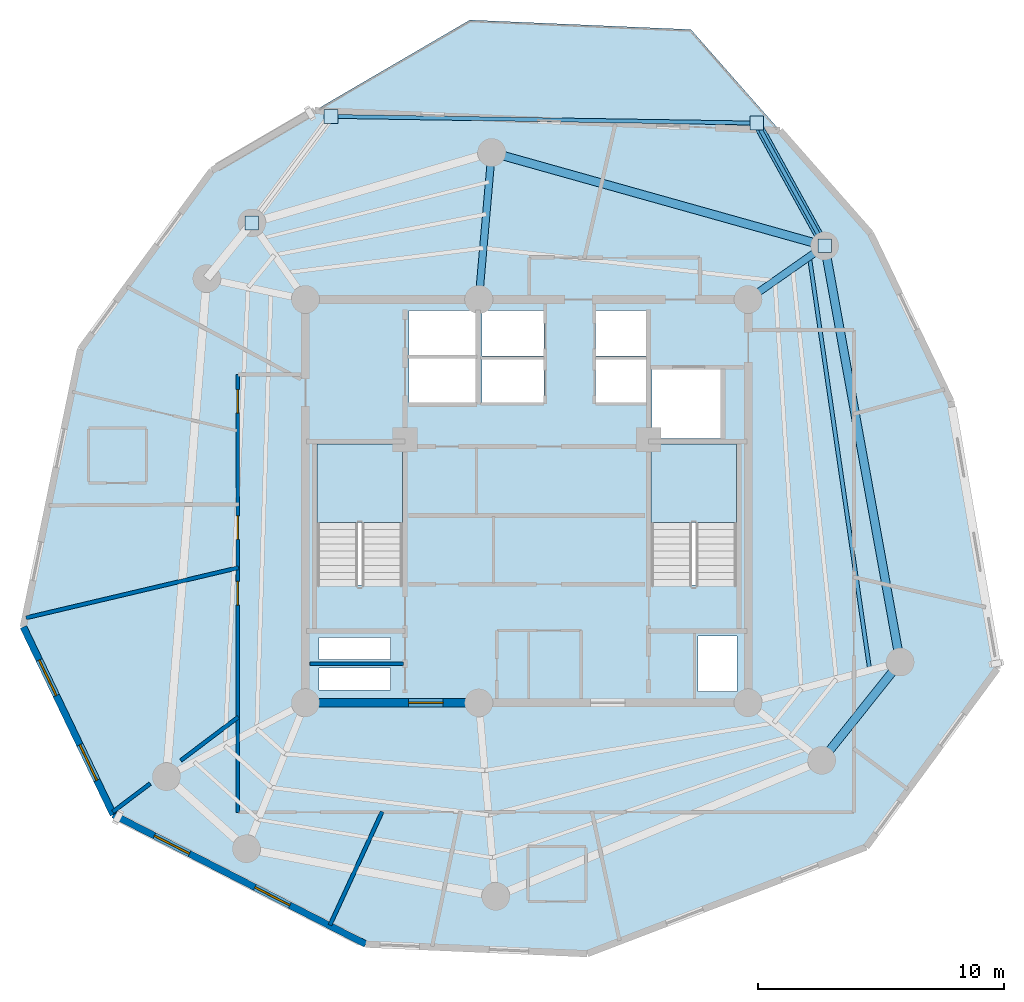
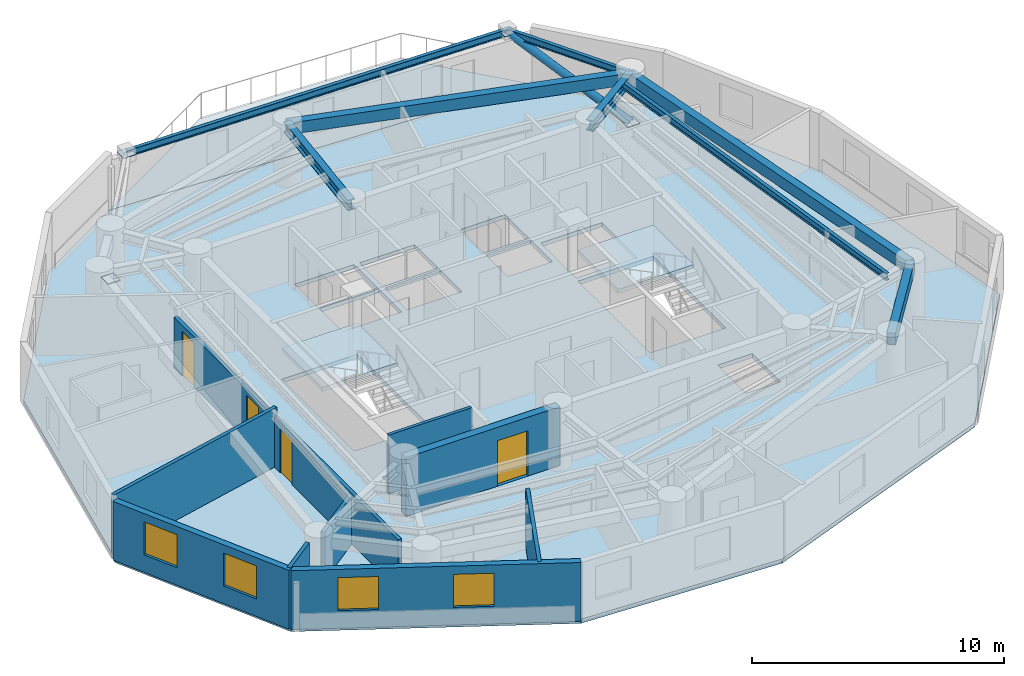
# One storey, part 2 of 8: 9 walls, 8 beams, 4 doors, 4 plates, 4 slabs, 4 windows, 1 member, 8 openings, 2 elements without a shape of their own.
"""IFC4 building model written with IfcOpenShell, lengths in metres."""

from ifc_helpers import new_model, si_unit, direction, frame, frame_2d, origin, origin_with_axes, origin_2d, place, context, subcontext, project, spatial, polyline, rectangle, hollow_circle, i_section, outline, extrude, source, transform, mapped, material, layer, layer_set, material_profile, profile_set, type_object, element, fill, aggregate, save


model = new_model("IFC4")

# Units and contexts
model_context = context("Model", 3, precision=1e-05, world=origin(), true_north=direction((0.0, 1.0)))
body_context = subcontext(model_context, "Body", "Model", "MODEL_VIEW")
ifc_project = project(units=[si_unit("LENGTHUNIT", "METRE"), si_unit("AREAUNIT", "SQUARE_METRE"), si_unit("VOLUMEUNIT", "CUBIC_METRE"), si_unit("PLANEANGLEUNIT", "RADIAN"), si_unit("MASSUNIT", "GRAM", prefix="KILO")], contexts=[model_context])

# Site, building, storey
site_placement = place(None, origin())
site = spatial("IfcSite", under=ifc_project, at=site_placement, CompositionType="ELEMENT")
building_placement = place(site_placement, origin())
building = spatial("IfcBuilding", under=site, at=building_placement, Name="Karkom Vertical University and Central Library", CompositionType="ELEMENT")
storey_placement = place(building_placement, frame((0.0, 0.0, 250.449951171875)))
storey = spatial("IfcBuildingStorey", under=building, at=storey_placement, Name="L74", CompositionType="ELEMENT", Elevation=250.449951171875)

# Beams
ifc_material_1 = material(Name="Precast concrete C45/55", Category="concrete")
ifc_material_profile_1 = material_profile(ifc_material_1, rectangle(XDim=0.35009765625, YDim=0.550048828125, at=origin_2d()), Name="SPB-350x550")
ifc_profile_set_1 = profile_set([ifc_material_profile_1], Name="Precast concrete C45/55")
beam_type_1 = type_object("IfcBeamType", Name="STR-BM-SP-2", PredefinedType="SPANDREL", material=ifc_profile_set_1)
shared_shape_1 = source(origin_with_axes(), body_context, "Body", "SweptSolid", [
    extrude(rectangle(XDim=0.35009765625, YDim=0.550048828125, at=origin_2d()), origin(), (0.0, 0.0, 1.0), 17.19970703125),
])
beam_1_placement = place(storey_placement, frame((43.681884765625, 19.9560546875, 2.574951171875), z_axis=(-0.178423249727, 0.983953832228, 0.0), x_axis=(-0.983953832228, -0.178423249727, 0.0)))
element("IfcBeam", 1, at=beam_1_placement, inside=storey, type_object=beam_type_1, Name="Level 74 Perimeter Spandrel Beam 01", PredefinedType="SPANDREL", context=body_context, shape_type="MappedRepresentation", body=[
    mapped(shared_shape_1, transform((0.0, 0.0, 0.0), scale=1.0)),
])
shared_shape_2 = source(origin_with_axes(), body_context, "Body", "SweptSolid", [
    extrude(rectangle(XDim=0.35009765625, YDim=0.550048828125, at=origin_2d()), origin(), (0.0, 0.0, 1.0), 14.0625),
])
beam_2_placement = place(storey_placement, frame((40.613037109375, 36.8798828125, 2.574951171875), z_axis=(-0.962854853531, 0.270019501207, 0.0), x_axis=(-0.270019501207, -0.962854853531, 0.0)))
element("IfcBeam", 2, at=beam_2_placement, inside=storey, type_object=beam_type_1, Name="Level 74 Perimeter Spandrel Beam 02", PredefinedType="SPANDREL", context=body_context, shape_type="MappedRepresentation", body=[
    mapped(shared_shape_2, transform((0.0, 0.0, 0.0), scale=1.0)),
])
shared_shape_3 = source(origin_with_axes(), body_context, "Body", "SweptSolid", [
    extrude(rectangle(XDim=0.35009765625, YDim=0.550048828125, at=origin_2d()), origin(), (0.0, 0.0, 1.0), 5.112060546875),
])
beam_3_placement = place(storey_placement, frame((40.493896484375, 15.9599609375, 2.574951171875), z_axis=(0.623634459503, 0.78171609995, 0.0), x_axis=(-0.78171609995, 0.623634459503, 0.0)))
element("IfcBeam", 3, at=beam_3_placement, inside=storey, type_object=beam_type_1, Name="Level 74 Perimeter Spandrel Beam 09", PredefinedType="SPANDREL", context=body_context, shape_type="MappedRepresentation", body=[
    mapped(shared_shape_3, transform((0.0, 0.0, 0.0), scale=1.0)),
])
ifc_material_2 = material(Name="Steel S355", Category="steel")
ifc_material_profile_2 = material_profile(ifc_material_2, i_section(OverallWidth=0.159912109375, OverallDepth=0.330078125, WebThickness=0.007568359375, FlangeThickness=0.011474609375, FilletRadius=0.01806640625, at=origin_2d()), Name="IPE 330")
ifc_profile_set_2 = profile_set([ifc_material_profile_2], Name="Steel S355")
beam_type_2 = type_object("IfcBeamType", Name="STR-BM-SB-IPE330", PredefinedType="BEAM", material=ifc_profile_set_2)
shared_shape_4 = source(origin_with_axes(), body_context, "Body", "SweptSolid", [
    extrude(i_section(OverallWidth=0.159912109375, OverallDepth=0.330078125, WebThickness=0.007568359375, FlangeThickness=0.011474609375, FilletRadius=0.01806640625, at=origin_2d()), origin(), (0.0, 0.0, 1.0), 16.99755859375),
])
beam_4_placement = place(storey_placement, frame((42.445556640625, 19.624755859375, 2.68505859375), z_axis=(-0.144436985275, 0.98951400055, 0.0), x_axis=(-0.98951400055, -0.144436985275, 0.0)))
element("IfcBeam", 4, at=beam_4_placement, inside=storey, type_object=beam_type_2, Name="Level 74 Secondary Composite Floor Beam 3.01", PredefinedType="BEAM", context=body_context, shape_type="MappedRepresentation", body=[
    mapped(shared_shape_4, transform((0.0, 0.0, 0.0), scale=1.0)),
])
ifc_material_profile_3 = material_profile(ifc_material_2, i_section(OverallWidth=0.300048828125, OverallDepth=0.5, WebThickness=0.014404296875, FlangeThickness=0.028076171875, FilletRadius=0.027099609375, at=origin_2d()), Name="HE 500 B")
ifc_profile_set_3 = profile_set([ifc_material_profile_3], Name="Steel S355")
beam_type_3 = type_object("IfcBeamType", Name="STR-BM-SB-HE500", PredefinedType="USERDEFINED", material=ifc_profile_set_3)
shared_shape_5 = source(origin_with_axes(), body_context, "Body", "SweptSolid", [
    extrude(i_section(OverallWidth=0.300048828125, OverallDepth=0.5, WebThickness=0.014404296875, FlangeThickness=0.028076171875, FilletRadius=0.027099609375, at=origin_2d()), origin(), (0.0, 0.0, 1.0), 3.80029296875),
])
beam_5_placement = place(storey_placement, frame((37.5, 34.699951171875, 2.60009765625), z_axis=(0.819132313625, 0.573604613627, 0.0), x_axis=(-0.573604613627, 0.819132313625, 0.0)))
element("IfcBeam", 5, at=beam_5_placement, inside=storey, type_object=beam_type_3, Name="Level 74 Radial Frame Girder 02", ObjectType="GIRDER", PredefinedType="USERDEFINED", context=body_context, shape_type="MappedRepresentation", body=[
    mapped(shared_shape_5, transform((0.0, 0.0, 0.0), scale=1.0)),
])
shared_shape_6 = source(origin_with_axes(), body_context, "Body", "SweptSolid", [
    extrude(i_section(OverallWidth=0.300048828125, OverallDepth=0.5, WebThickness=0.014404296875, FlangeThickness=0.028076171875, FilletRadius=0.027099609375, at=origin_2d()), origin(), (0.0, 0.0, 1.0), 6.0),
])
beam_6_placement = place(storey_placement, frame((26.550048828125, 34.699951171875, 2.60009765625), z_axis=(0.087159883478, 0.996194335816, 0.0), x_axis=(-0.996194335816, 0.087159883478, 0.0)))
element("IfcBeam", 6, at=beam_6_placement, inside=storey, type_object=beam_type_3, Name="Level 74 Radial Frame Girder 03", ObjectType="GIRDER", PredefinedType="USERDEFINED", context=body_context, shape_type="MappedRepresentation", body=[
    mapped(shared_shape_6, transform((0.0, 0.0, 0.0), scale=1.0)),
])
shared_shape_7 = source(origin_with_axes(), body_context, "Body", "SweptSolid", [
    extrude(i_section(OverallWidth=0.159912109375, OverallDepth=0.330078125, WebThickness=0.007568359375, FlangeThickness=0.011474609375, FilletRadius=0.01806640625, at=origin_2d()), origin(), (0.0, 0.0, 1.0), 5.7021484375),
])
beam_7_placement = place(storey_placement, frame((40.613037109375, 36.8798828125, 2.68505859375), z_axis=(-0.483722361953, 0.875221501419, 0.0), x_axis=(-0.875221501419, -0.483722361953, 0.0)))
element("IfcBeam", 7, at=beam_7_placement, inside=storey, type_object=beam_type_2, Name="Level 74 Sky Garden Outrigger Support Beam 1", PredefinedType="BEAM", context=body_context, shape_type="MappedRepresentation", body=[
    mapped(shared_shape_7, transform((0.0, 0.0, 0.0), scale=1.0)),
])

# Member
ifc_material_profile_4 = material_profile(ifc_material_2, hollow_circle(Radius=0.177734375, WallThickness=0.01611328125, at=origin_2d()), Name="CHS 355.6x16")
ifc_profile_set_4 = profile_set([ifc_material_profile_4], Name="Steel S355")
member_type = type_object("IfcMemberType", Name="STR-MEM-BR-3", PredefinedType="BRACE", material=ifc_profile_set_4)
shared_shape_8 = source(origin_with_axes(), body_context, "Body", "SweptSolid", [
    extrude(hollow_circle(Radius=0.177734375, WallThickness=0.01611328125, at=origin_2d()), origin(), (0.0, 0.0, 1.0), 6.161865234375),
])
member_placement = place(storey_placement, frame((40.613037109375, 36.8798828125, 0.35009765625), z_axis=(-0.447646479314, 0.809947719077, 0.378942372823), x_axis=(-0.875221501419, -0.483722361953, 0.0)))
element("IfcMember", 8, at=member_placement, inside=storey, type_object=member_type, Name="Level 74 Sky Garden Knee Strut Brace 1", PredefinedType="BRACE", context=body_context, shape_type="MappedRepresentation", body=[
    mapped(shared_shape_8, transform((0.0, 0.0, 0.0), scale=1.0)),
])

# Beam
shared_shape_9 = source(origin_with_axes(), body_context, "Body", "SweptSolid", [
    extrude(i_section(OverallWidth=0.159912109375, OverallDepth=0.330078125, WebThickness=0.007568359375, FlangeThickness=0.011474609375, FilletRadius=0.01806640625, at=origin_2d()), origin(), (0.0, 0.0, 1.0), 17.31494140625),
])
beam_8_placement = place(storey_placement, frame((37.854736328125, 41.87060546875, 2.68505859375), z_axis=(-0.999875298094, 0.015792031558, 0.0), x_axis=(-0.015792031558, -0.999875298094, 0.0)))
element("IfcBeam", 9, at=beam_8_placement, inside=storey, type_object=beam_type_2, Name="Level 74 Sky Garden Perimeter Edge Beam", PredefinedType="BEAM", context=body_context, shape_type="MappedRepresentation", body=[
    mapped(shared_shape_9, transform((0.0, 0.0, 0.0), scale=1.0)),
])

# Stair, slab
ifc_material_3 = material(Name="Concrete C45/55", Category="concrete")
stair_type = type_object("IfcStairType", Name="INT-STR-ST-MAIN", PredefinedType="HALF_TURN_STAIR", material=ifc_material_3)
stair_1_placement = place(storey_placement, origin())
stair_1 = element("IfcStair", 10, at=stair_1_placement, inside=storey, type_object=stair_type, Name="Level 74 Tower Protected Exit Stair ST-1", PredefinedType="HALF_TURN_STAIR")
ifc_layer_1 = layer(ifc_material_3, 0.199951171875)
ifc_layer_set_1 = layer_set([ifc_layer_1], Name="Concrete C45/55")
slab_type_1 = type_object("IfcSlabType", Name="INT-SLB-LANDING", PredefinedType="LANDING", material=ifc_layer_set_1)
slab_1_placement = place(storey_placement, frame((0.0, 0.0, 1.324951171875)))
slab_1 = element("IfcSlab", 11, at=slab_1_placement, type_object=slab_type_1, Name="ST-1 landing 1", PredefinedType="LANDING", context=body_context, shape_type="SweptSolid", body=[
    extrude(outline(polyline([(23.43994140625, 25.6298828125), (23.43994140625, 28.820068359375), (19.97998046875, 28.820068359375), (19.97998046875, 25.6298828125), (23.43994140625, 25.6298828125)])), origin(), (0.0, 0.0, 1.0), 0.2001953125),
])
aggregate(stair_1, [slab_1])

stair_2_placement = place(storey_placement, origin())
stair_2 = element("IfcStair", 12, at=stair_2_placement, inside=storey, type_object=stair_type, Name="Level 74 Tower Protected Exit Stair ST-2", PredefinedType="HALF_TURN_STAIR")
slab_2_placement = place(storey_placement, frame((0.0, 0.0, 1.324951171875)))
slab_2 = element("IfcSlab", 13, at=slab_2_placement, type_object=slab_type_1, Name="ST-2 landing 1", PredefinedType="LANDING", context=body_context, shape_type="SweptSolid", body=[
    extrude(outline(polyline([(37.02001953125, 25.6298828125), (37.02001953125, 28.820068359375), (33.56005859375, 28.820068359375), (33.56005859375, 25.6298828125), (37.02001953125, 25.6298828125)])), origin(), (0.0, 0.0, 1.0), 0.2001953125),
])
aggregate(stair_2, [slab_2])

# Slabs
ifc_material_4 = material(Name="Concrete C40/50", Category="concrete")
ifc_layer_2 = layer(ifc_material_4, 0.199951171875)
ifc_layer_set_2 = layer_set([ifc_layer_2], Name="Concrete C40/50")
slab_type_2 = type_object("IfcSlabType", Name="STR-SLB-FLR-200", PredefinedType="FLOOR", material=ifc_layer_set_2)
slab_3_placement = place(storey_placement, frame((0.0, 0.0, -0.199951171875)))
element("IfcSlab", 14, at=slab_3_placement, inside=storey, type_object=slab_type_2, Name="Level 74 Tower Structural Floor Slab", PredefinedType="FLOOR", context=body_context, shape_type="SweptSolid", body=[
    extrude(outline(polyline([(11.68896484375, 13.75439453125), (21.9501953125, 8.4892578125), (30.95458984375, 8.102294921875), (42.2958984375, 12.438720703125), (47.625, 19.68310546875), (45.739013671875, 30.5712890625), (42.474853515625, 37.384033203125), (38.79052734375, 41.567138671875), (19.8779296875, 42.3798828125), (15.699951171875, 39.941162109375), (10.359375, 32.680908203125), (8.03271484375, 21.385009765625), (11.68896484375, 13.75439453125)]), holes=[polyline([(19.97998046875, 23.0849609375), (23.43994140625, 23.0849609375), (23.43994140625, 28.820068359375), (19.97998046875, 28.820068359375), (19.97998046875, 23.0849609375)]), polyline([(33.56005859375, 23.0849609375), (37.02001953125, 23.0849609375), (37.02001953125, 28.820068359375), (33.56005859375, 28.820068359375), (33.56005859375, 23.0849609375)]), polyline([(26.679931640625, 30.5), (29.199951171875, 30.5), (29.199951171875, 32.25), (26.679931640625, 32.25), (26.679931640625, 30.5)]), polyline([(26.679931640625, 32.39990234375), (29.199951171875, 32.39990234375), (29.199951171875, 34.25), (26.679931640625, 34.25), (26.679931640625, 32.39990234375)]), polyline([(31.300048828125, 30.5), (33.35009765625, 30.5), (33.35009765625, 32.25), (31.300048828125, 32.25), (31.300048828125, 30.5)]), polyline([(31.300048828125, 32.39990234375), (33.35009765625, 32.39990234375), (33.35009765625, 34.25), (31.300048828125, 34.25), (31.300048828125, 32.39990234375)]), polyline([(23.719970703125, 30.47998046875), (26.429931640625, 30.47998046875), (26.429931640625, 32.320068359375), (23.719970703125, 32.320068359375), (23.719970703125, 30.47998046875)]), polyline([(23.719970703125, 32.419921875), (26.429931640625, 32.419921875), (26.429931640625, 34.260009765625), (23.719970703125, 34.260009765625), (23.719970703125, 32.419921875)]), polyline([(33.60009765625, 29.050048828125), (36.39990234375, 29.050048828125), (36.39990234375, 31.85009765625), (33.60009765625, 31.85009765625), (33.60009765625, 29.050048828125)]), polyline([(20.050048828125, 18.820068359375), (22.949951171875, 18.820068359375), (22.949951171875, 19.719970703125), (20.050048828125, 19.719970703125), (20.050048828125, 18.820068359375)]), polyline([(20.050048828125, 20.06005859375), (22.949951171875, 20.06005859375), (22.949951171875, 20.9599609375), (20.050048828125, 20.9599609375), (20.050048828125, 20.06005859375)]), polyline([(35.4599609375, 18.760009765625), (37.0400390625, 18.760009765625), (37.0400390625, 21.010009765625), (35.4599609375, 21.010009765625), (35.4599609375, 18.760009765625)])]), origin(), (0.0, 0.0, 1.0), 0.199951171875),
])
ifc_layer_3 = layer(ifc_material_3, 0.199951171875)
ifc_layer_set_3 = layer_set([ifc_layer_3], Name="Concrete C45/55")
slab_type_3 = type_object("IfcSlabType", Name="STR-SLB-PLN-260", PredefinedType="USERDEFINED", material=ifc_layer_set_3)
slab_4_placement = place(storey_placement, frame((0.0, 0.0, -0.199951171875)))
element("IfcSlab", 15, at=slab_4_placement, inside=storey, type_object=slab_type_3, Name="Level 74 Spiral Sky Garden Planter Terrace", ObjectType="PLANTER", PredefinedType="USERDEFINED", context=body_context, shape_type="SweptSolid", body=[
    extrude(outline(polyline([(38.79052734375, 41.567138671875), (35.17138671875, 45.67626953125), (26.18603515625, 46.0625), (19.8779296875, 42.3798828125), (38.79052734375, 41.567138671875)])), origin(), (0.0, 0.0, 1.0), 0.199951171875),
])

# Plates
ifc_layer_4 = layer(ifc_material_2, 0.028076171875)
ifc_layer_set_4 = layer_set([ifc_layer_4], Name="Steel S355")
plate_type = type_object("IfcPlateType", Name="STR-PLT-GP-2", PredefinedType="USERDEFINED", material=ifc_layer_set_4)
shared_shape_10 = source(origin_with_axes(), body_context, "Body", "SweptSolid", [
    extrude(rectangle(XDim=0.56005859375, YDim=0.56005859375, at=origin_2d()), origin(), (0.0, 0.0, 1.0), 0.028076171875),
])
for number, where, z_axis, x_axis, name in (
    (16, (40.613037109375, 36.8798828125, 0.3359375), (0.0, 0.0, 1.0), (1.0, 0.0, 0.0), "Level 74 Node Gusset Cap Plate L74-SKG-KNEE-1 A"),
    (17, (37.854736328125, 41.87060546875, 2.6708984375), (0.0, 0.0, 1.0), (1.0, 0.0, 0.0), "Level 74 Node Gusset Cap Plate L74-SKG-KNEE-1 B"),
    (18, (17.320068359375, 37.81298828125, 0.3359375), (0.0, 0.0, 1.0), (1.0, 0.0, 0.0), "Level 74 Node Gusset Cap Plate L74-SKG-KNEE-2 A"),
    (19, (20.5419921875, 42.14404296875, 2.6708984375), (0.0, 0.0, 1.0), (1.0, 0.0, 0.0), "Level 74 Node Gusset Cap Plate L74-SKG-KNEE-2 B"),
):
    element("IfcPlate", number, at=place(storey_placement, frame(where, z_axis=z_axis, x_axis=x_axis)), inside=storey, type_object=plate_type, Name=name, ObjectType="GUSSET PLATE", PredefinedType="USERDEFINED", context=body_context, shape_type="MappedRepresentation", body=[
        mapped(shared_shape_10, transform((0.0, 0.0, 0.0), scale=1.0)),
    ])

# Wall, openings, windows
ifc_material_5 = material(Name="Brick-faced precast concrete C45/55", Category="masonry")
ifc_layer_5 = layer(ifc_material_5, 0.280029296875)
ifc_layer_set_5 = layer_set([ifc_layer_5], Name="Brick-faced precast concrete C45/55")
wall_type_1 = type_object("IfcWallType", Name="ENV-WL-BRK-280", PredefinedType="SOLIDWALL", material=ifc_layer_set_5)
wall_1_placement = place(storey_placement, frame((11.68896484375, 13.75439453125, 0.0), z_axis=(0.0, 0.0, 1.0), x_axis=(0.889712974327, -0.456520342716, 0.0)))
wall_1 = element("IfcWall", 20, at=wall_1_placement, inside=storey, type_object=wall_type_1, Name="Level 74 Brick-Faced Precast Facade Wall 01", PredefinedType="SOLIDWALL", context=body_context, shape_type="SweptSolid", body=[
    extrude(rectangle(XDim=11.533203125, YDim=0.280029296875, at=frame_2d((5.7666015625, 0.0))), origin(), (0.0, 0.0, 1.0), 2.85009765625),
])
opening_1_placement = place(wall_1_placement, frame((1.876708984375, 0.0, 0.85009765625)))
opening_1 = element("IfcOpeningElement", 21, at=opening_1_placement, cuts=wall_1, Name="Opening WN-10", PredefinedType="OPENING", context=body_context, shape_type="SweptSolid", body=[
    extrude(rectangle(XDim=1.60009765625, YDim=1.60009765625, at=frame_2d((0.800048828125, 0.800048828125))), frame((0.0, 0.14990234375, 0.0), z_axis=(0.0, -1.0, 0.0), x_axis=(1.0, 0.0, 0.0)), (0.0, 0.0, 1.0), 0.300048828125),
])
opening_2_placement = place(wall_1_placement, frame((6.4697265625, 0.0, 0.85009765625)))
opening_2 = element("IfcOpeningElement", 22, at=opening_2_placement, cuts=wall_1, Name="Opening WN-10", PredefinedType="OPENING", context=body_context, shape_type="SweptSolid", body=[
    extrude(rectangle(XDim=1.60009765625, YDim=1.60009765625, at=frame_2d((0.800048828125, 0.800048828125))), frame((0.0, 0.14990234375, 0.0), z_axis=(0.0, -1.0, 0.0), x_axis=(1.0, 0.0, 0.0)), (0.0, 0.0, 1.0), 0.300048828125),
])
ifc_material_6 = material(Name="Aluminium thermal-break frame with solar-control IGU", Category="aluminium")
window_type = type_object("IfcWindowType", Name="ENV-WIN-WN-10", PartitioningType="SINGLE_PANEL", PredefinedType="WINDOW", material=ifc_material_6)
shared_shape_11 = source(origin_with_axes(), body_context, "Body", "SweptSolid", [
    extrude(rectangle(XDim=1.60009765625, YDim=1.60009765625, at=frame_2d((0.800048828125, 0.800048828125))), frame((0.0, 0.030029296875, 0.0), z_axis=(0.0, -1.0, 0.0), x_axis=(1.0, 0.0, 0.0)), (0.0, 0.0, 1.0), 0.06005859375),
])
window_1_placement = place(opening_1_placement, origin())
window_1 = element("IfcWindow", 23, at=window_1_placement, inside=storey, type_object=window_type, Name="Level 74 Punched Window 1.1", OverallHeight=1.60009765625, OverallWidth=1.60009765625, PartitioningType="SINGLE_PANEL", PredefinedType="WINDOW", context=body_context, shape_type="MappedRepresentation", body=[
    mapped(shared_shape_11, transform((0.0, 0.0, 0.0), scale=1.0)),
])
fill(opening_1, window_1)
window_2_placement = place(opening_2_placement, origin())
window_2 = element("IfcWindow", 24, at=window_2_placement, inside=storey, type_object=window_type, Name="Level 74 Punched Window 1.2", OverallHeight=1.60009765625, OverallWidth=1.60009765625, PartitioningType="SINGLE_PANEL", PredefinedType="WINDOW", context=body_context, shape_type="MappedRepresentation", body=[
    mapped(shared_shape_11, transform((0.0, 0.0, 0.0), scale=1.0)),
])
fill(opening_2, window_2)

wall_2_placement = place(storey_placement, frame((8.03271484375, 21.385009765625, 0.0), z_axis=(0.0, 0.0, 1.0), x_axis=(0.432111869591, -0.901820010955, 0.0)))
wall_2 = element("IfcWall", 25, at=wall_2_placement, inside=storey, type_object=wall_type_1, Name="Level 74 Brick-Faced Precast Facade Wall 12", PredefinedType="SOLIDWALL", context=body_context, shape_type="SweptSolid", body=[
    extrude(rectangle(XDim=8.46142578125, YDim=0.280029296875, at=frame_2d((4.230712890625, 0.0))), origin(), (0.0, 0.0, 1.0), 2.85009765625),
])
opening_3_placement = place(wall_2_placement, frame((1.4912109375, 0.0, 0.85009765625)))
opening_3 = element("IfcOpeningElement", 26, at=opening_3_placement, cuts=wall_2, Name="Opening WN-10", PredefinedType="OPENING", context=body_context, shape_type="SweptSolid", body=[
    extrude(rectangle(XDim=1.60009765625, YDim=1.60009765625, at=frame_2d((0.800048828125, 0.800048828125))), frame((0.0, 0.14990234375, 0.0), z_axis=(0.0, -1.0, 0.0), x_axis=(1.0, 0.0, 0.0)), (0.0, 0.0, 1.0), 0.300048828125),
])
opening_4_placement = place(wall_2_placement, frame((5.313232421875, 0.0, 0.85009765625)))
opening_4 = element("IfcOpeningElement", 27, at=opening_4_placement, cuts=wall_2, Name="Opening WN-10", PredefinedType="OPENING", context=body_context, shape_type="SweptSolid", body=[
    extrude(rectangle(XDim=1.60009765625, YDim=1.60009765625, at=frame_2d((0.800048828125, 0.800048828125))), frame((0.0, 0.14990234375, 0.0), z_axis=(0.0, -1.0, 0.0), x_axis=(1.0, 0.0, 0.0)), (0.0, 0.0, 1.0), 0.300048828125),
])
window_3_placement = place(opening_3_placement, origin())
window_3 = element("IfcWindow", 28, at=window_3_placement, inside=storey, type_object=window_type, Name="Level 74 Punched Window 12.1", OverallHeight=1.60009765625, OverallWidth=1.60009765625, PartitioningType="SINGLE_PANEL", PredefinedType="WINDOW", context=body_context, shape_type="MappedRepresentation", body=[
    mapped(shared_shape_11, transform((0.0, 0.0, 0.0), scale=1.0)),
])
fill(opening_3, window_3)
window_4_placement = place(opening_4_placement, origin())
window_4 = element("IfcWindow", 29, at=window_4_placement, inside=storey, type_object=window_type, Name="Level 74 Punched Window 12.2", OverallHeight=1.60009765625, OverallWidth=1.60009765625, PartitioningType="SINGLE_PANEL", PredefinedType="WINDOW", context=body_context, shape_type="MappedRepresentation", body=[
    mapped(shared_shape_11, transform((0.0, 0.0, 0.0), scale=1.0)),
])
fill(opening_4, window_4)

# Wall, openings, doors
ifc_material_7 = material(Name="Insulated metal-stud drywall 160mm", Category="gypsum")
ifc_layer_6 = layer(ifc_material_7, 0.159912109375)
ifc_layer_set_6 = layer_set([ifc_layer_6], Name="Insulated metal-stud drywall 160mm")
wall_type_2 = type_object("IfcWallType", Name="INT-WL-COR-160", PredefinedType="PARTITIONING", material=ifc_layer_set_6)
wall_3_placement = place(storey_placement, frame((16.75, 13.85009765625, 0.0), z_axis=(0.0, 0.0, 1.0), x_axis=(0.0, 1.0, 0.0)))
wall_3 = element("IfcWall", 30, at=wall_3_placement, inside=storey, type_object=wall_type_2, Name="Level 74 Interior Partition Wall L74-CORW-CW-002", PredefinedType="PARTITIONING", context=body_context, shape_type="SweptSolid", body=[
    extrude(rectangle(XDim=17.7998046875, YDim=0.159912109375, at=frame_2d((8.89990234375, 0.0))), origin(), (0.0, 0.0, 1.0), 2.449951171875),
])
opening_5_placement = place(wall_3_placement, frame((16.2255859375, 0.0, 0.0)))
opening_5 = element("IfcOpeningElement", 31, at=opening_5_placement, cuts=wall_3, Name="Opening FD-RM2", PredefinedType="OPENING", context=body_context, shape_type="SweptSolid", body=[
    extrude(rectangle(XDim=0.9599609375, YDim=2.14990234375, at=frame_2d((0.47998046875, 1.074951171875))), frame((0.0, 0.08984375, 0.0), z_axis=(0.0, -1.0, 0.0), x_axis=(1.0, 0.0, 0.0)), (0.0, 0.0, 1.0), 0.179931640625),
])
opening_6_placement = place(wall_3_placement, frame((11.094970703125, 0.0, 0.0)))
opening_6 = element("IfcOpeningElement", 32, at=opening_6_placement, cuts=wall_3, Name="Opening FD-RM2", PredefinedType="OPENING", context=body_context, shape_type="SweptSolid", body=[
    extrude(rectangle(XDim=0.9599609375, YDim=2.14990234375, at=frame_2d((0.47998046875, 1.074951171875))), frame((0.0, 0.08984375, 0.0), z_axis=(0.0, -1.0, 0.0), x_axis=(1.0, 0.0, 0.0)), (0.0, 0.0, 1.0), 0.179931640625),
])
opening_7_placement = place(wall_3_placement, frame((8.425048828125, 0.0, 0.0)))
opening_7 = element("IfcOpeningElement", 33, at=opening_7_placement, cuts=wall_3, Name="Opening FD-RM2", PredefinedType="OPENING", context=body_context, shape_type="SweptSolid", body=[
    extrude(rectangle(XDim=0.9599609375, YDim=2.14990234375, at=frame_2d((0.47998046875, 1.074951171875))), frame((0.0, 0.08984375, 0.0), z_axis=(0.0, -1.0, 0.0), x_axis=(1.0, 0.0, 0.0)), (0.0, 0.0, 1.0), 0.179931640625),
])
ifc_material_8 = material(Name="Fire-rated oak veneer door", Category="wood")
door_type_1 = type_object("IfcDoorType", Name="INT-DR-FRM2", OperationType="NOTDEFINED", PredefinedType="DOOR", material=ifc_material_8)
shared_shape_12 = source(origin_with_axes(), body_context, "Body", "SweptSolid", [
    extrude(rectangle(XDim=0.9599609375, YDim=2.14990234375, at=frame_2d((0.47998046875, 1.074951171875))), frame((0.0, 0.02490234375, 0.0), z_axis=(0.0, -1.0, 0.0), x_axis=(1.0, 0.0, 0.0)), (0.0, 0.0, 1.0), 0.050048828125),
])
door_1_placement = place(opening_5_placement, origin())
door_1 = element("IfcDoor", 34, at=door_1_placement, inside=storey, type_object=door_type_1, Name="Level 74 Room Entry Door 420", OperationType="SINGLE_SWING_RIGHT", OverallHeight=2.14990234375, OverallWidth=0.9599609375, PredefinedType="DOOR", context=body_context, shape_type="MappedRepresentation", body=[
    mapped(shared_shape_12, transform((0.0, 0.0, 0.0), scale=1.0)),
])
fill(opening_5, door_1)
door_2_placement = place(opening_6_placement, origin())
door_2 = element("IfcDoor", 35, at=door_2_placement, inside=storey, type_object=door_type_1, Name="Level 74 Room Entry Door 300", OperationType="SINGLE_SWING_LEFT", OverallHeight=2.14990234375, OverallWidth=0.9599609375, PredefinedType="DOOR", context=body_context, shape_type="MappedRepresentation", body=[
    mapped(shared_shape_12, transform((0.0, 0.0, 0.0), scale=1.0)),
])
fill(opening_6, door_2)
door_3_placement = place(opening_7_placement, origin())
door_3 = element("IfcDoor", 36, at=door_3_placement, inside=storey, type_object=door_type_1, Name="Level 74 Room Entry Door 301", OperationType="SINGLE_SWING_RIGHT", OverallHeight=2.14990234375, OverallWidth=0.9599609375, PredefinedType="DOOR", context=body_context, shape_type="MappedRepresentation", body=[
    mapped(shared_shape_12, transform((0.0, 0.0, 0.0), scale=1.0)),
])
fill(opening_7, door_3)

# Walls
wall_4_placement = place(storey_placement, frame((16.779296875, 23.794677734375, 0.0), z_axis=(0.0, 0.0, 1.0), x_axis=(-0.973249169771, -0.229752156769, 0.0)))
element("IfcWall", 37, at=wall_4_placement, inside=storey, type_object=wall_type_2, Name="Level 74 Interior Partition Wall L74-PW-001", PredefinedType="PARTITIONING", context=body_context, shape_type="SweptSolid", body=[
    extrude(rectangle(XDim=8.876220703125, YDim=0.159912109375, at=frame_2d((4.43798828125, 0.0))), origin(), (0.0, 0.0, 1.0), 2.85009765625),
])
wall_5_placement = place(storey_placement, frame((22.622314453125, 13.877197265625, 0.0), z_axis=(0.0, 0.0, 1.0), x_axis=(-0.4182046618, -0.908352828393, 0.0)))
element("IfcWall", 38, at=wall_5_placement, inside=storey, type_object=wall_type_2, Name="Level 74 Interior Partition Wall L74-PW-005", PredefinedType="PARTITIONING", context=body_context, shape_type="SweptSolid", body=[
    extrude(rectangle(XDim=5.080078125, YDim=0.159912109375, at=frame_2d((2.5400390625, 0.0))), origin(), (0.0, 0.0, 1.0), 2.85009765625),
])
wall_6_placement = place(storey_placement, frame((16.77392578125, 17.72216796875, 0.0), z_axis=(0.0, 0.0, 1.0), x_axis=(-0.798087936227, -0.602540991177, 0.0)))
element("IfcWall", 39, at=wall_6_placement, inside=storey, type_object=wall_type_2, Name="Level 74 Interior Partition Wall L74-PW-003", PredefinedType="PARTITIONING", context=body_context, shape_type="SweptSolid", body=[
    extrude(rectangle(XDim=2.9326171875, YDim=0.159912109375, at=frame_2d((1.46630859375, 0.0))), origin(), (0.0, 0.0, 1.0), 2.35009765625),
])
wall_7_placement = place(storey_placement, frame((13.18896484375, 15.015380859375, 0.0), z_axis=(0.0, 0.0, 1.0), x_axis=(-0.798124184404, -0.602492976116, 0.0)))
element("IfcWall", 40, at=wall_7_placement, inside=storey, type_object=wall_type_2, Name="Level 74 Interior Partition Wall L74-PW-004", PredefinedType="PARTITIONING", context=body_context, shape_type="SweptSolid", body=[
    extrude(rectangle(XDim=1.909423828125, YDim=0.159912109375, at=frame_2d((0.95458984375, 0.0))), origin(), (0.0, 0.0, 1.0), 2.85009765625),
])
ifc_material_9 = material(Name="Metal-stud gypsum partition 140mm", Category="gypsum")
ifc_layer_7 = layer(ifc_material_9, 0.139892578125)
ifc_layer_set_7 = layer_set([ifc_layer_7], Name="Metal-stud gypsum partition 140mm")
wall_type_3 = type_object("IfcWallType", Name="INT-WL-SUB-140H", PredefinedType="PARTITIONING", material=ifc_layer_set_7)
wall_8_placement = place(storey_placement, frame((19.681884765625, 19.889892578125, 0.0), z_axis=(0.0, 0.0, 1.0), x_axis=(1.0, 0.0, 0.0)))
element("IfcWall", 41, at=wall_8_placement, inside=storey, type_object=wall_type_3, Name="Level 74 Interior Partition Wall L74-CW-RIS-W", PredefinedType="PARTITIONING", context=body_context, shape_type="SweptSolid", body=[
    extrude(rectangle(XDim=3.8154296875, YDim=0.139892578125, at=frame_2d((1.90771484375, 0.0))), origin(), (0.0, 0.0, 1.0), 2.85009765625),
])

# Wall, opening, door
ifc_layer_8 = layer(ifc_material_3, 0.35009765625)
ifc_layer_set_8 = layer_set([ifc_layer_8], Name="Concrete C45/55")
wall_type_4 = type_object("IfcWallType", Name="STR-WL-CW-350", PredefinedType="SHEAR", material=ifc_layer_set_8)
wall_9_placement = place(storey_placement, frame((19.5, 18.300048828125, 0.0), z_axis=(0.0, 0.0, 1.0), x_axis=(1.0, 0.0, 0.0)))
wall_9 = element("IfcWall", 42, at=wall_9_placement, inside=storey, type_object=wall_type_4, Name="Level 74 Central Core Shear Wall SW1", PredefinedType="SHEAR", context=body_context, shape_type="SweptSolid", body=[
    extrude(rectangle(XDim=7.050048828125, YDim=0.35009765625, at=frame_2d((3.52490234375, 0.0))), origin(), (0.0, 0.0, 1.0), 2.85009765625),
])
opening_8_placement = place(wall_9_placement, frame((4.199951171875, 0.0, 0.0)))
opening_8 = element("IfcOpeningElement", 43, at=opening_8_placement, cuts=wall_9, Name="Opening FD-CLB", PredefinedType="OPENING", context=body_context, shape_type="SweptSolid", body=[
    extrude(rectangle(XDim=1.39990234375, YDim=2.199951171875, at=frame_2d((0.699951171875, 1.10009765625))), frame((0.0, 0.18505859375, 0.0), z_axis=(0.0, -1.0, 0.0), x_axis=(1.0, 0.0, 0.0)), (0.0, 0.0, 1.0), 0.3701171875),
])
ifc_material_10 = material(Name="Painted steel fire door", Category="steel")
door_type_2 = type_object("IfcDoorType", Name="INT-DR-CLB", OperationType="DOUBLE_DOOR_SINGLE_SWING", PredefinedType="DOOR", material=ifc_material_10)
shared_shape_13 = source(origin_with_axes(), body_context, "Body", "SweptSolid", [
    extrude(rectangle(XDim=1.39990234375, YDim=2.199951171875, at=frame_2d((0.699951171875, 1.10009765625))), frame((0.0, 0.02490234375, 0.0), z_axis=(0.0, -1.0, 0.0), x_axis=(1.0, 0.0, 0.0)), (0.0, 0.0, 1.0), 0.050048828125),
])
door_4_placement = place(opening_8_placement, origin())
door_4 = element("IfcDoor", 44, at=door_4_placement, inside=storey, type_object=door_type_2, Name="Level 74 South Core Lobby West Exit Door", OperationType="DOUBLE_DOOR_SINGLE_SWING", OverallHeight=2.199951171875, OverallWidth=1.39990234375, PredefinedType="DOOR", context=body_context, shape_type="MappedRepresentation", body=[
    mapped(shared_shape_13, transform((0.0, 0.0, 0.0), scale=1.0)),
])
fill(opening_8, door_4)

save(model, "model.ifc")
